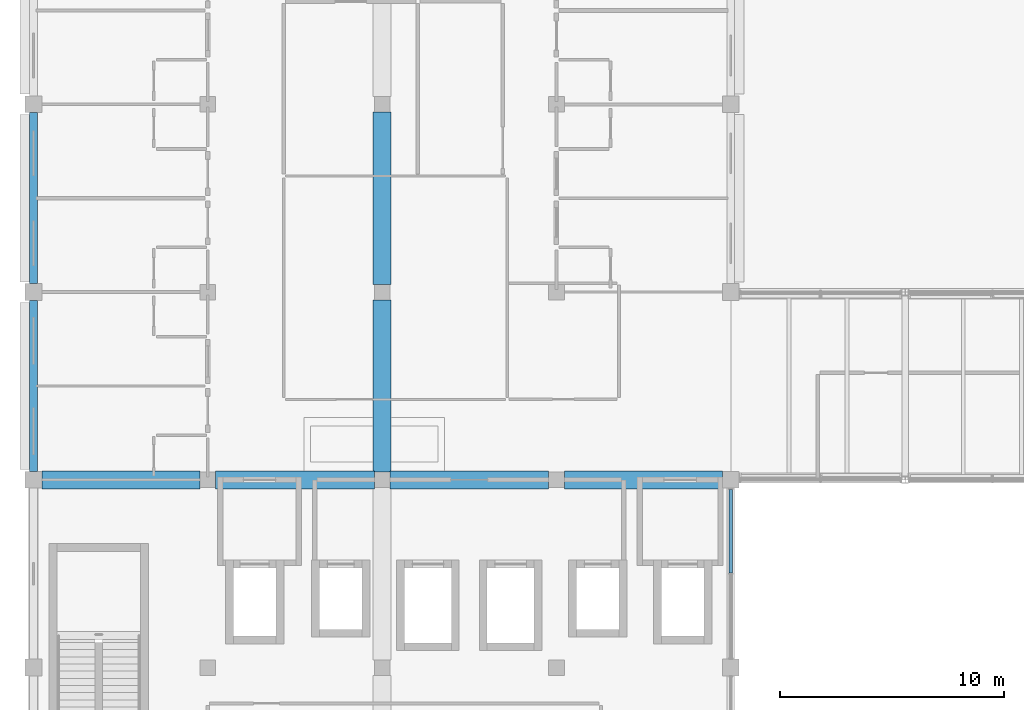
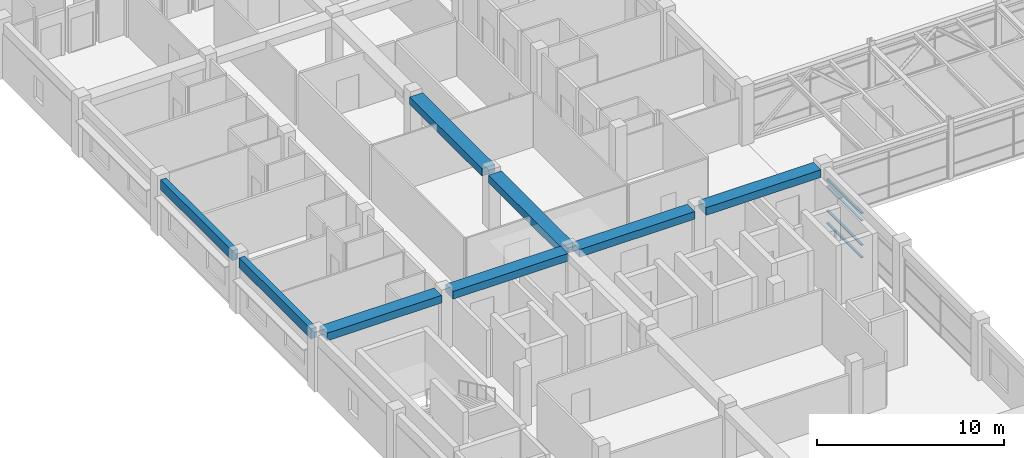
# One storey, part 8 of 72: 8 beams, 4 members, 1 element without a shape of its own.
"""IFC4 building model written with IfcOpenShell, lengths in metres."""

from ifc_helpers import new_model, si_unit, direction, frame, origin, origin_2d, place, context, subcontext, project, spatial, rectangle, hollow_rectangle, extrude, material, material_profile, profile_set, type_object, element, aggregate, save


model = new_model("IFC4")

# Units and contexts
model_context = context("Model", 3, precision=1e-05, world=origin(), true_north=direction((0.0, 1.0)))
body_context = subcontext(model_context, "Body", "Model", "MODEL_VIEW")
ifc_project = project(units=[si_unit("LENGTHUNIT", "METRE"), si_unit("AREAUNIT", "SQUARE_METRE"), si_unit("VOLUMEUNIT", "CUBIC_METRE"), si_unit("PLANEANGLEUNIT", "RADIAN"), si_unit("MASSUNIT", "GRAM", prefix="KILO"), si_unit("THERMODYNAMICTEMPERATUREUNIT", "KELVIN"), si_unit("POWERUNIT", "WATT")], contexts=[model_context])

# Site, building, storey
site_placement = place(None, origin())
site = spatial("IfcSite", under=ifc_project, at=site_placement, CompositionType="ELEMENT")
building_placement = place(site_placement, origin())
building = spatial("IfcBuilding", under=site, at=building_placement, Name="Srebrne Nadtorze General Hospital", CompositionType="ELEMENT")
storey_placement = place(building_placement, frame((0.0, 0.0, 22.199951171875)))
storey = spatial("IfcBuildingStorey", under=building, at=storey_placement, Name="L05", CompositionType="ELEMENT", Elevation=22.199951171875)

# Curtain wall, members
ifc_material_1 = material(Name="Anodised Aluminium", Category="aluminium")
curtain_wall_type = type_object("IfcCurtainWallType", Name="Unitised curtain wall 7650x2950", PredefinedType="NOTDEFINED", material=ifc_material_1)
curtain_wall_placement = place(storey_placement, origin())
curtain_wall = element("IfcCurtainWall", 1, at=curtain_wall_placement, inside=storey, type_object=curtain_wall_type, Name="Curtain wall CW-131", PredefinedType="NOTDEFINED")
ifc_material_2 = material(Name="Anodised Aluminium", Category="aluminium")
ifc_material_profile_1 = material_profile(ifc_material_2, hollow_rectangle(XDim=0.06494140625, YDim=0.139892578125, WallThickness=0.00390625, at=origin_2d()), Name="AL-TRN-65x140")
ifc_profile_set_1 = profile_set([ifc_material_profile_1], Name="Anodised Aluminium")
member_type = type_object("IfcMemberType", Name="Curtain transom 65x140", PredefinedType="USERDEFINED", material=ifc_profile_set_1)
member_1_placement = place(storey_placement, frame((54.60009765625, 46.232421875, 0.032470703125), z_axis=(0.0, 1.0, 0.0), x_axis=(0.0, 0.0, 1.0)))
member_1 = element("IfcMember", 2, at=member_1_placement, type_object=member_type, Name="CW-131 transom 2.1", ObjectType="TRANSOM", PredefinedType="USERDEFINED", context=body_context, shape_type="SweptSolid", body=[
    extrude(hollow_rectangle(XDim=0.06494140625, YDim=0.139892578125, WallThickness=0.00390625, at=origin_2d()), origin(), (0.0, 0.0, 1.0), 3.7275390625),
])
member_2_placement = place(storey_placement, frame((54.60009765625, 46.232421875, 0.85009765625), z_axis=(0.0, 1.0, 0.0), x_axis=(0.0, 0.0, 1.0)))
member_2 = element("IfcMember", 3, at=member_2_placement, type_object=member_type, Name="CW-131 transom 2.2", ObjectType="TRANSOM", PredefinedType="USERDEFINED", context=body_context, shape_type="SweptSolid", body=[
    extrude(hollow_rectangle(XDim=0.06494140625, YDim=0.139892578125, WallThickness=0.00390625, at=origin_2d()), origin(), (0.0, 0.0, 1.0), 3.7275390625),
])
member_3_placement = place(storey_placement, frame((54.60009765625, 46.232421875, 2.449951171875), z_axis=(0.0, 1.0, 0.0), x_axis=(0.0, 0.0, 1.0)))
member_3 = element("IfcMember", 4, at=member_3_placement, type_object=member_type, Name="CW-131 transom 2.3", ObjectType="TRANSOM", PredefinedType="USERDEFINED", context=body_context, shape_type="SweptSolid", body=[
    extrude(hollow_rectangle(XDim=0.06494140625, YDim=0.139892578125, WallThickness=0.00390625, at=origin_2d()), origin(), (0.0, 0.0, 1.0), 3.7275390625),
])
member_4_placement = place(storey_placement, frame((54.60009765625, 46.232421875, 2.91748046875), z_axis=(0.0, 1.0, 0.0), x_axis=(0.0, 0.0, 1.0)))
member_4 = element("IfcMember", 5, at=member_4_placement, type_object=member_type, Name="CW-131 transom 2.4", ObjectType="TRANSOM", PredefinedType="USERDEFINED", context=body_context, shape_type="SweptSolid", body=[
    extrude(hollow_rectangle(XDim=0.06494140625, YDim=0.139892578125, WallThickness=0.00390625, at=origin_2d()), origin(), (0.0, 0.0, 1.0), 3.7275390625),
])
aggregate(curtain_wall, [member_1, member_2, member_3, member_4])

# Beams
ifc_material_3 = material(Name="Concrete C35/45", Category="concrete")
ifc_material_profile_2 = material_profile(ifc_material_3, rectangle(XDim=0.35009765625, YDim=0.64990234375, at=origin_2d()), Name="RC-BM-350x650")
ifc_profile_set_2 = profile_set([ifc_material_profile_2], Name="Concrete C35/45")
beam_type_1 = type_object("IfcBeamType", Name="Edge beam RC 350x650", PredefinedType="BEAM", material=ifc_profile_set_2)
beam_1_placement = place(storey_placement, frame((23.39990234375, 50.77490234375, 3.275146484375), z_axis=(0.0, 1.0, 0.0), x_axis=(-1.0, 0.0, 0.0)))
element("IfcBeam", 6, at=beam_1_placement, inside=storey, type_object=beam_type_1, Name="Beam BM-L05-Y-1064", PredefinedType="BEAM", context=body_context, shape_type="SweptSolid", body=[
    extrude(rectangle(XDim=0.35009765625, YDim=0.64990234375, at=origin_2d()), origin(), (0.0, 0.0, 1.0), 7.650146484375),
])
beam_2_placement = place(storey_placement, frame((23.39990234375, 59.175048828125, 3.275146484375), z_axis=(0.0, 1.0, 0.0), x_axis=(-1.0, 0.0, 0.0)))
element("IfcBeam", 7, at=beam_2_placement, inside=storey, type_object=beam_type_1, Name="Beam BM-L05-Y-1065", PredefinedType="BEAM", context=body_context, shape_type="SweptSolid", body=[
    extrude(rectangle(XDim=0.35009765625, YDim=0.64990234375, at=origin_2d()), origin(), (0.0, 0.0, 1.0), 7.64990234375),
])
ifc_material_4 = material(Name="Concrete C40/50", Category="concrete")
ifc_material_profile_3 = material_profile(ifc_material_4, rectangle(XDim=0.800048828125, YDim=0.5, at=origin_2d()), Name="RC-BM-800x500")
ifc_profile_set_3 = profile_set([ifc_material_profile_3], Name="Concrete C40/50")
beam_type_2 = type_object("IfcBeamType", Name="Primary beam RC 800x500", PredefinedType="BEAM", material=ifc_profile_set_3)
beam_3_placement = place(storey_placement, frame((23.77490234375, 50.39990234375, 3.35009765625), z_axis=(1.0, 0.0, 0.0), x_axis=(0.0, 1.0, 0.0)))
element("IfcBeam", 8, at=beam_3_placement, inside=storey, type_object=beam_type_2, Name="Beam BM-L05-X-1018", PredefinedType="BEAM", context=body_context, shape_type="SweptSolid", body=[
    extrude(rectangle(XDim=0.800048828125, YDim=0.5, at=origin_2d()), origin(), (0.0, 0.0, 1.0), 7.0751953125),
])
for number, where, z_axis, x_axis, name in (
    (9, (31.550048828125, 50.39990234375, 3.35009765625), (1.0, 0.0, 0.0), (0.0, 1.0, 0.0), "Beam BM-L05-X-1019"),
    (10, (39.35009765625, 50.39990234375, 3.35009765625), (1.0, 0.0, 0.0), (0.0, 1.0, 0.0), "Beam BM-L05-X-1020"),
):
    element("IfcBeam", number, at=place(storey_placement, frame(where, z_axis=z_axis, x_axis=x_axis)), inside=storey, type_object=beam_type_2, Name=name, PredefinedType="BEAM", context=body_context, shape_type="SweptSolid", body=[
        extrude(rectangle(XDim=0.800048828125, YDim=0.5, at=origin_2d()), origin(), (0.0, 0.0, 1.0), 7.099853515625),
    ])
beam_4_placement = place(storey_placement, frame((47.14990234375, 50.39990234375, 3.35009765625), z_axis=(1.0, 0.0, 0.0), x_axis=(0.0, 1.0, 0.0)))
element("IfcBeam", 11, at=beam_4_placement, inside=storey, type_object=beam_type_2, Name="Beam BM-L05-X-1021", PredefinedType="BEAM", context=body_context, shape_type="SweptSolid", body=[
    extrude(rectangle(XDim=0.800048828125, YDim=0.5, at=origin_2d()), origin(), (0.0, 0.0, 1.0), 7.0751953125),
])
beam_5_placement = place(storey_placement, frame((39.0, 50.75, 3.35009765625), z_axis=(0.0, 1.0, 0.0), x_axis=(-1.0, 0.0, 0.0)))
element("IfcBeam", 12, at=beam_5_placement, inside=storey, type_object=beam_type_2, Name="Beam BM-L05-Y-1074", PredefinedType="BEAM", context=body_context, shape_type="SweptSolid", body=[
    extrude(rectangle(XDim=0.800048828125, YDim=0.5, at=origin_2d()), origin(), (0.0, 0.0, 1.0), 7.699951171875),
])
beam_6_placement = place(storey_placement, frame((39.0, 59.14990234375, 3.35009765625), z_axis=(0.0, 1.0, 0.0), x_axis=(-1.0, 0.0, 0.0)))
element("IfcBeam", 13, at=beam_6_placement, inside=storey, type_object=beam_type_2, Name="Beam BM-L05-Y-1075", PredefinedType="BEAM", context=body_context, shape_type="SweptSolid", body=[
    extrude(rectangle(XDim=0.800048828125, YDim=0.5, at=origin_2d()), origin(), (0.0, 0.0, 1.0), 7.7001953125),
])

save(model, "model.ifc")
